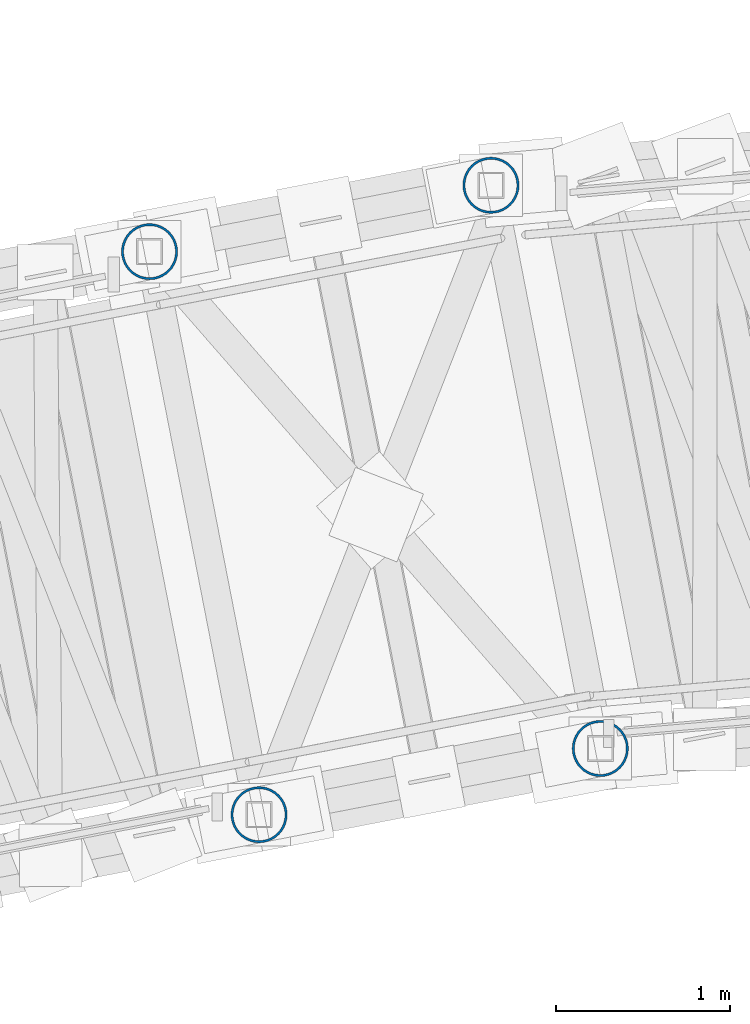
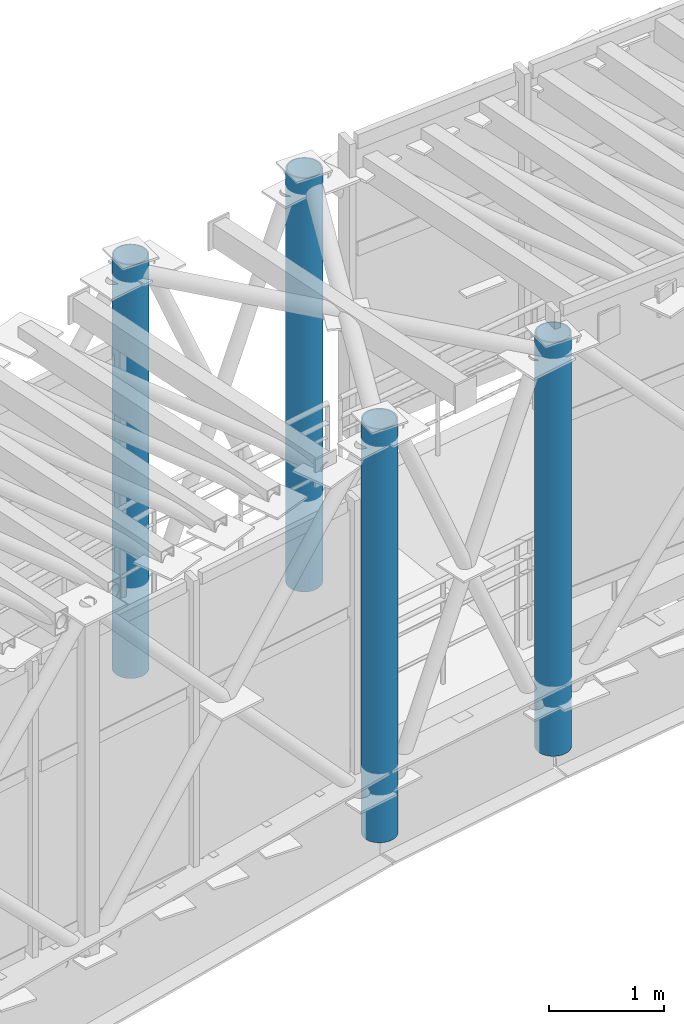
# One storey, part 15 of 144: 4 columns.
"""IFC4 building model written with IfcOpenShell, lengths in metres."""

from ifc_helpers import new_model, si_unit, direction, frame, origin, origin_2d, place, context, subcontext, project, spatial, hollow_circle, extrude, material, material_profile, profile_set, type_object, element, save


model = new_model("IFC4")

# Units and contexts
model_context = context("Model", 3, precision=1e-05, world=origin(), true_north=direction((0.0, 1.0)))
body_context = subcontext(model_context, "Body", "Model", "MODEL_VIEW")
ifc_project = project(units=[si_unit("LENGTHUNIT", "METRE"), si_unit("AREAUNIT", "SQUARE_METRE"), si_unit("VOLUMEUNIT", "CUBIC_METRE"), si_unit("PLANEANGLEUNIT", "RADIAN"), si_unit("MASSUNIT", "GRAM", prefix="KILO")], contexts=[model_context])

# Site, building, storey
site_placement = place(None, origin())
site = spatial("IfcSite", under=ifc_project, at=site_placement, CompositionType="ELEMENT")
building_placement = place(site_placement, origin())
building = spatial("IfcBuilding", under=site, at=building_placement, Name="Cinderbank Siding Concert Hall", CompositionType="ELEMENT")
storey_placement = place(building_placement, frame((0.0, 0.0, 5.39990234375)))
storey = spatial("IfcBuildingStorey", under=building, at=storey_placement, Name="L02", CompositionType="ELEMENT", Elevation=5.39990234375)

# Columns
ifc_material = material(Name="Structural steel hollow section AS/NZS 1163 Grade C350L0 (350 MPa)", Category="steel")
ifc_material_profile = material_profile(ifc_material, hollow_circle(Radius=0.161865234375, WallThickness=0.0126953125, at=origin_2d()), Name="323.9x12.7CHS", Category="LoadBearing")
ifc_profile_set = profile_set([ifc_material_profile], Name="Structural steel hollow section AS/NZS 1163 Grade C350L0 (350 MPa)")
column_type = type_object("IfcColumnType", Name="C-CHS323 323.9x12.7CHS", PredefinedType="COLUMN", material=ifc_profile_set)
for number, where, z_axis, x_axis, name in (
    (1, (61.677978515625, 100.68408203125, 0.0), (0.0, 0.0, 1.0), (1.0, 0.0, 0.0), "L02 Column COL-BRL-01"),
    (2, (62.30810546875, 97.445068359375, 0.0), (0.0, 0.0, 1.0), (1.0, 0.0, 0.0), "L02 Column COL-BRR-01"),
    (3, (63.64208984375, 101.06591796875, 0.0), (0.0, 0.0, 1.0), (1.0, 0.0, 0.0), "L02 Column COL-BRL-02"),
    (4, (64.27099609375, 97.825927734375, 0.0), (0.0, 0.0, 1.0), (1.0, 0.0, 0.0), "L02 Column COL-BRR-02"),
):
    element("IfcColumn", number, at=place(storey_placement, frame(where, z_axis=z_axis, x_axis=x_axis)), inside=storey, type_object=column_type, Name=name, PredefinedType="COLUMN", context=body_context, shape_type="SweptSolid", body=[
        extrude(hollow_circle(Radius=0.161865234375, WallThickness=0.0126953125, at=origin_2d()), origin(), (0.0, 0.0, 1.0), 4.39013671875),
    ])

save(model, "model.ifc")
